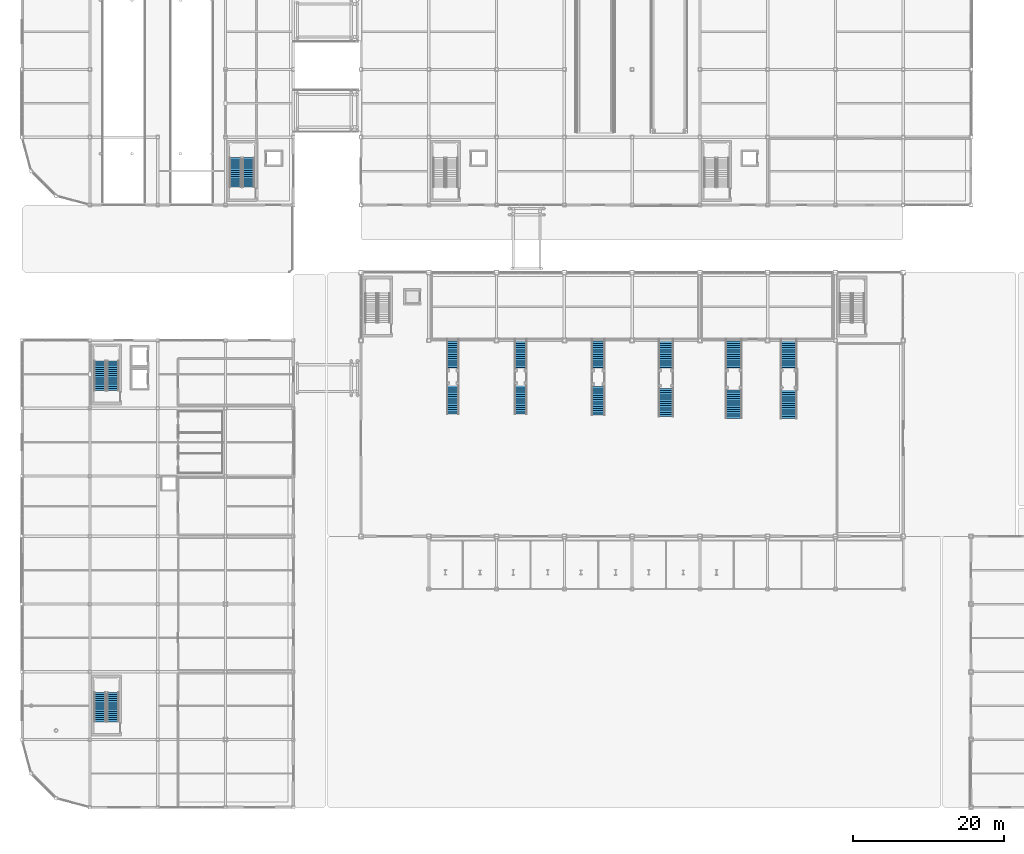
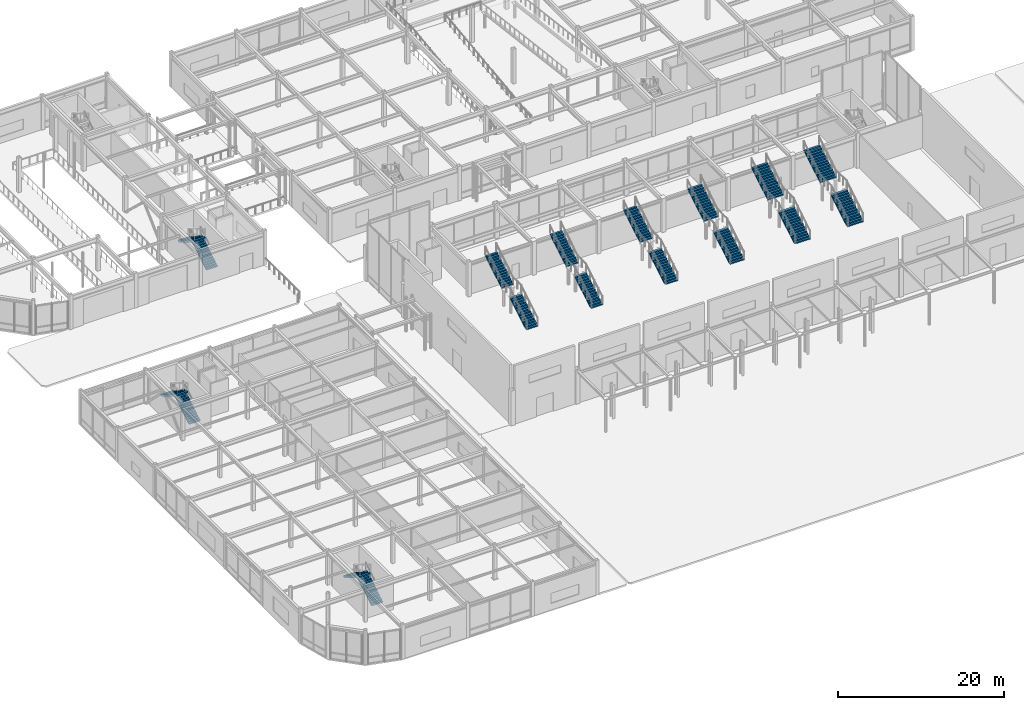
# One storey, part 94 of 123: 18 stair flights, 9 elements without a shape of their own.
"""IFC4 building model written with IfcOpenShell, lengths in metres."""

from ifc_helpers import new_model, si_unit, direction, frame, origin, place, context, subcontext, project, spatial, polyline, outline, extrude, material, type_object, element, aggregate, save


model = new_model("IFC4")

# Units and contexts
model_context = context("Model", 3, precision=1e-05, world=origin(), true_north=direction((0.0, 1.0)))
body_context = subcontext(model_context, "Body", "Model", "MODEL_VIEW")
ifc_project = project(units=[si_unit("LENGTHUNIT", "METRE"), si_unit("AREAUNIT", "SQUARE_METRE"), si_unit("VOLUMEUNIT", "CUBIC_METRE"), si_unit("PLANEANGLEUNIT", "RADIAN"), si_unit("MASSUNIT", "GRAM", prefix="KILO")], contexts=[model_context])

# Site, building, storey
site_placement = place(None, origin())
site = spatial("IfcSite", under=ifc_project, at=site_placement, CompositionType="ELEMENT")
building_placement = place(site_placement, origin())
building = spatial("IfcBuilding", under=site, at=building_placement, Name="Suzunagisa Mobility Hub", CompositionType="ELEMENT")
storey_placement = place(building_placement, origin())
storey = spatial("IfcBuildingStorey", under=building, at=storey_placement, Name="L00", CompositionType="ELEMENT", Elevation=0.0)

# Stair, stair flights
ifc_material = material(Name="Concrete C35/45", Category="concrete")
stair_type_1 = type_object("IfcStairType", Name="Dog-Leg Core Escape Stair ST-01 W1560", PredefinedType="HALF_TURN_STAIR", material=ifc_material)
stair_1_placement = place(storey_placement, origin())
stair_1 = element("IfcStair", 1, at=stair_1_placement, inside=storey, type_object=stair_type_1, Name="L00 Core C1 Escape Stair ST-01", PredefinedType="HALF_TURN_STAIR")
stair_flight_type_1 = type_object("IfcStairFlightType", Name="Dog-Leg Core Stair Flight ST-01-F W1560", PredefinedType="STRAIGHT", material=ifc_material)
stair_flight_1_placement = place(storey_placement, frame((12.06005859375, 55.360107421875, 0.0), z_axis=(0.0, 0.0, 1.0), x_axis=(0.0, 1.0, 0.0)))
stair_flight_1 = element("IfcStairFlight", 2, at=stair_flight_1_placement, type_object=stair_flight_type_1, Name="ST-01 flight 1", NumberOfRisers=15, NumberOfTreads=14, PredefinedType="STRAIGHT", RiserHeight=0.17, TreadLength=0.28, context=body_context, shape_type="SweptSolid", body=[
    extrude(outline(polyline([(0.0, 0.0), (0.0, 0.169921875), (0.280029296875, 0.169921875), (0.280029296875, 0.340087890625), (0.56005859375, 0.340087890625), (0.56005859375, 0.510009765625), (0.840087890625, 0.510009765625), (0.840087890625, 0.679931640625), (1.1201171875, 0.679931640625), (1.1201171875, 0.85009765625), (1.39990234375, 0.85009765625), (1.39990234375, 1.02001953125), (1.679931640625, 1.02001953125), (1.679931640625, 1.18994140625), (1.9599609375, 1.18994140625), (1.9599609375, 1.360107421875), (2.239990234375, 1.360107421875), (2.239990234375, 1.530029296875), (2.52001953125, 1.530029296875), (2.52001953125, 1.699951171875), (2.800048828125, 1.699951171875), (2.800048828125, 1.8701171875), (3.080078125, 1.8701171875), (3.080078125, 2.0400390625), (3.360107421875, 2.0400390625), (3.360107421875, 2.2099609375), (3.639892578125, 2.2099609375), (3.639892578125, 2.3798828125), (3.919921875, 2.3798828125), (3.919921875, 2.550048828125), (3.919921875, 2.19287109375), (0.30810546875, 0.0), (0.0, 0.0)])), frame((0.0, 0.780029296875, 0.0), z_axis=(0.0, -1.0, 0.0), x_axis=(1.0, 0.0, 0.0)), (0.0, 0.0, 1.0), 1.56005859375),
])
stair_flight_2_placement = place(storey_placement, frame((10.340087890625, 59.280029296875, 2.550048828125), z_axis=(0.0, 0.0, 1.0), x_axis=(0.0, -1.0, 0.0)))
stair_flight_2 = element("IfcStairFlight", 3, at=stair_flight_2_placement, type_object=stair_flight_type_1, Name="ST-01 flight 2", NumberOfRisers=15, NumberOfTreads=14, PredefinedType="STRAIGHT", RiserHeight=0.17, TreadLength=0.28, context=body_context, shape_type="SweptSolid", body=[
    extrude(outline(polyline([(0.0, 0.0), (0.0, 0.169921875), (0.280029296875, 0.169921875), (0.280029296875, 0.340087890625), (0.56005859375, 0.340087890625), (0.56005859375, 0.510009765625), (0.840087890625, 0.510009765625), (0.840087890625, 0.679931640625), (1.1201171875, 0.679931640625), (1.1201171875, 0.85009765625), (1.39990234375, 0.85009765625), (1.39990234375, 1.02001953125), (1.679931640625, 1.02001953125), (1.679931640625, 1.18994140625), (1.9599609375, 1.18994140625), (1.9599609375, 1.360107421875), (2.239990234375, 1.360107421875), (2.239990234375, 1.530029296875), (2.52001953125, 1.530029296875), (2.52001953125, 1.699951171875), (2.800048828125, 1.699951171875), (2.800048828125, 1.8701171875), (3.080078125, 1.8701171875), (3.080078125, 2.0400390625), (3.360107421875, 2.0400390625), (3.360107421875, 2.2099609375), (3.639892578125, 2.2099609375), (3.639892578125, 2.3798828125), (3.919921875, 2.3798828125), (3.919921875, 2.550048828125), (3.919921875, 2.19287109375), (0.30810546875, 0.0), (0.0, 0.0)])), frame((0.0, 0.780029296875, 0.0), z_axis=(0.0, -1.0, 0.0), x_axis=(1.0, 0.0, 0.0)), (0.0, 0.0, 1.0), 1.56005859375),
])
aggregate(stair_1, [stair_flight_1, stair_flight_2])

stair_type_2 = type_object("IfcStairType", Name="Dog-Leg Core Escape Stair ST-02 W1560", PredefinedType="HALF_TURN_STAIR", material=ifc_material)
stair_2_placement = place(storey_placement, origin())
stair_2 = element("IfcStair", 4, at=stair_2_placement, inside=storey, type_object=stair_type_2, Name="L00 Core C1B Escape Stair ST-02", PredefinedType="HALF_TURN_STAIR")
stair_flight_type_2 = type_object("IfcStairFlightType", Name="Dog-Leg Core Stair Flight ST-02-F W1560", PredefinedType="STRAIGHT", material=ifc_material)
stair_flight_3_placement = place(storey_placement, frame((12.06005859375, 11.360107421875, 0.0), z_axis=(0.0, 0.0, 1.0), x_axis=(0.0, 1.0, 0.0)))
stair_flight_3 = element("IfcStairFlight", 5, at=stair_flight_3_placement, type_object=stair_flight_type_2, Name="ST-02 flight 1", NumberOfRisers=15, NumberOfTreads=14, PredefinedType="STRAIGHT", RiserHeight=0.17, TreadLength=0.28, context=body_context, shape_type="SweptSolid", body=[
    extrude(outline(polyline([(0.0, 0.0), (0.0, 0.169921875), (0.280029296875, 0.169921875), (0.280029296875, 0.340087890625), (0.56005859375, 0.340087890625), (0.56005859375, 0.510009765625), (0.840087890625, 0.510009765625), (0.840087890625, 0.679931640625), (1.1201171875, 0.679931640625), (1.1201171875, 0.85009765625), (1.39990234375, 0.85009765625), (1.39990234375, 1.02001953125), (1.679931640625, 1.02001953125), (1.679931640625, 1.18994140625), (1.9599609375, 1.18994140625), (1.9599609375, 1.360107421875), (2.239990234375, 1.360107421875), (2.239990234375, 1.530029296875), (2.52001953125, 1.530029296875), (2.52001953125, 1.699951171875), (2.800048828125, 1.699951171875), (2.800048828125, 1.8701171875), (3.080078125, 1.8701171875), (3.080078125, 2.0400390625), (3.360107421875, 2.0400390625), (3.360107421875, 2.2099609375), (3.639892578125, 2.2099609375), (3.639892578125, 2.3798828125), (3.919921875, 2.3798828125), (3.919921875, 2.550048828125), (3.919921875, 2.19287109375), (0.30810546875, 0.0), (0.0, 0.0)])), frame((0.0, 0.780029296875, 0.0), z_axis=(0.0, -1.0, 0.0), x_axis=(1.0, 0.0, 0.0)), (0.0, 0.0, 1.0), 1.56005859375),
])
stair_flight_4_placement = place(storey_placement, frame((10.340087890625, 15.280029296875, 2.550048828125), z_axis=(0.0, 0.0, 1.0), x_axis=(0.0, -1.0, 0.0)))
stair_flight_4 = element("IfcStairFlight", 6, at=stair_flight_4_placement, type_object=stair_flight_type_2, Name="ST-02 flight 2", NumberOfRisers=15, NumberOfTreads=14, PredefinedType="STRAIGHT", RiserHeight=0.17, TreadLength=0.28, context=body_context, shape_type="SweptSolid", body=[
    extrude(outline(polyline([(0.0, 0.0), (0.0, 0.169921875), (0.280029296875, 0.169921875), (0.280029296875, 0.340087890625), (0.56005859375, 0.340087890625), (0.56005859375, 0.510009765625), (0.840087890625, 0.510009765625), (0.840087890625, 0.679931640625), (1.1201171875, 0.679931640625), (1.1201171875, 0.85009765625), (1.39990234375, 0.85009765625), (1.39990234375, 1.02001953125), (1.679931640625, 1.02001953125), (1.679931640625, 1.18994140625), (1.9599609375, 1.18994140625), (1.9599609375, 1.360107421875), (2.239990234375, 1.360107421875), (2.239990234375, 1.530029296875), (2.52001953125, 1.530029296875), (2.52001953125, 1.699951171875), (2.800048828125, 1.699951171875), (2.800048828125, 1.8701171875), (3.080078125, 1.8701171875), (3.080078125, 2.0400390625), (3.360107421875, 2.0400390625), (3.360107421875, 2.2099609375), (3.639892578125, 2.2099609375), (3.639892578125, 2.3798828125), (3.919921875, 2.3798828125), (3.919921875, 2.550048828125), (3.919921875, 2.19287109375), (0.30810546875, 0.0), (0.0, 0.0)])), frame((0.0, 0.780029296875, 0.0), z_axis=(0.0, -1.0, 0.0), x_axis=(1.0, 0.0, 0.0)), (0.0, 0.0, 1.0), 1.56005859375),
])
aggregate(stair_2, [stair_flight_3, stair_flight_4])

stair_type_3 = type_object("IfcStairType", Name="Dog-Leg Core Escape Stair ST-05 W1560", PredefinedType="HALF_TURN_STAIR", material=ifc_material)
stair_3_placement = place(storey_placement, origin())
stair_3 = element("IfcStair", 7, at=stair_3_placement, inside=storey, type_object=stair_type_3, Name="L00 Core C6 Escape Stair ST-05", PredefinedType="HALF_TURN_STAIR")
stair_flight_type_3 = type_object("IfcStairFlightType", Name="Dog-Leg Core Stair Flight ST-05-F W1560", PredefinedType="STRAIGHT", material=ifc_material)
stair_flight_5_placement = place(storey_placement, frame((30.06005859375, 82.360107421875, 0.0), z_axis=(0.0, 0.0, 1.0), x_axis=(0.0, 1.0, 0.0)))
stair_flight_5 = element("IfcStairFlight", 8, at=stair_flight_5_placement, type_object=stair_flight_type_3, Name="ST-05 flight 1", NumberOfRisers=15, NumberOfTreads=14, PredefinedType="STRAIGHT", RiserHeight=0.17, TreadLength=0.28, context=body_context, shape_type="SweptSolid", body=[
    extrude(outline(polyline([(0.0, 0.0), (0.0, 0.169921875), (0.280029296875, 0.169921875), (0.280029296875, 0.340087890625), (0.56005859375, 0.340087890625), (0.56005859375, 0.510009765625), (0.840087890625, 0.510009765625), (0.840087890625, 0.679931640625), (1.1201171875, 0.679931640625), (1.1201171875, 0.85009765625), (1.39990234375, 0.85009765625), (1.39990234375, 1.02001953125), (1.679931640625, 1.02001953125), (1.679931640625, 1.18994140625), (1.9599609375, 1.18994140625), (1.9599609375, 1.360107421875), (2.239990234375, 1.360107421875), (2.239990234375, 1.530029296875), (2.52001953125, 1.530029296875), (2.52001953125, 1.699951171875), (2.800048828125, 1.699951171875), (2.800048828125, 1.8701171875), (3.080078125, 1.8701171875), (3.080078125, 2.0400390625), (3.360107421875, 2.0400390625), (3.360107421875, 2.2099609375), (3.639892578125, 2.2099609375), (3.639892578125, 2.3798828125), (3.919921875, 2.3798828125), (3.919921875, 2.550048828125), (3.919921875, 2.19287109375), (0.30810546875, 0.0), (0.0, 0.0)])), frame((0.0, 0.780029296875, 0.0), z_axis=(0.0, -1.0, 0.0), x_axis=(1.0, 0.0, 0.0)), (0.0, 0.0, 1.0), 1.56005859375),
])
stair_flight_6_placement = place(storey_placement, frame((28.340087890625, 86.280029296875, 2.550048828125), z_axis=(0.0, 0.0, 1.0), x_axis=(0.0, -1.0, 0.0)))
stair_flight_6 = element("IfcStairFlight", 9, at=stair_flight_6_placement, type_object=stair_flight_type_3, Name="ST-05 flight 2", NumberOfRisers=15, NumberOfTreads=14, PredefinedType="STRAIGHT", RiserHeight=0.17, TreadLength=0.28, context=body_context, shape_type="SweptSolid", body=[
    extrude(outline(polyline([(0.0, 0.0), (0.0, 0.169921875), (0.280029296875, 0.169921875), (0.280029296875, 0.340087890625), (0.56005859375, 0.340087890625), (0.56005859375, 0.510009765625), (0.840087890625, 0.510009765625), (0.840087890625, 0.679931640625), (1.1201171875, 0.679931640625), (1.1201171875, 0.85009765625), (1.39990234375, 0.85009765625), (1.39990234375, 1.02001953125), (1.679931640625, 1.02001953125), (1.679931640625, 1.18994140625), (1.9599609375, 1.18994140625), (1.9599609375, 1.360107421875), (2.239990234375, 1.360107421875), (2.239990234375, 1.530029296875), (2.52001953125, 1.530029296875), (2.52001953125, 1.699951171875), (2.800048828125, 1.699951171875), (2.800048828125, 1.8701171875), (3.080078125, 1.8701171875), (3.080078125, 2.0400390625), (3.360107421875, 2.0400390625), (3.360107421875, 2.2099609375), (3.639892578125, 2.2099609375), (3.639892578125, 2.3798828125), (3.919921875, 2.3798828125), (3.919921875, 2.550048828125), (3.919921875, 2.19287109375), (0.30810546875, 0.0), (0.0, 0.0)])), frame((0.0, 0.780029296875, 0.0), z_axis=(0.0, -1.0, 0.0), x_axis=(1.0, 0.0, 0.0)), (0.0, 0.0, 1.0), 1.56005859375),
])
aggregate(stair_3, [stair_flight_5, stair_flight_6])

stair_type_4 = type_object("IfcStairType", Name="Forecourt Ceremonial Straight Stair FS-01 W1800", PredefinedType="STRAIGHT_RUN_STAIR", material=ifc_material)
stair_4_placement = place(storey_placement, origin())
stair_4 = element("IfcStair", 10, at=stair_4_placement, inside=storey, type_object=stair_type_4, Name="Concourse Mezzanine Straight Stair FS-01", PredefinedType="STRAIGHT_RUN_STAIR")
stair_flight_type_4 = type_object("IfcStairFlightType", Name="Forecourt Straight Stair Flight FSF-01 W1800", PredefinedType="STRAIGHT", material=ifc_material)
stair_flight_7_placement = place(storey_placement, frame((57.199951171875, 52.22998046875, 0.0), z_axis=(0.0, 0.0, 1.0), x_axis=(0.0, 1.0, 0.0)))
stair_flight_7 = element("IfcStairFlight", 11, at=stair_flight_7_placement, type_object=stair_flight_type_4, Name="Concourse Stair Flight FSF-01-1", NumberOfRisers=15, NumberOfTreads=14, PredefinedType="STRAIGHT", RiserHeight=0.17, TreadLength=0.29, context=body_context, shape_type="SweptSolid", body=[
    extrude(outline(polyline([(0.0, 0.0), (0.0, 0.169921875), (0.2900390625, 0.169921875), (0.2900390625, 0.340087890625), (0.580078125, 0.340087890625), (0.580078125, 0.510009765625), (0.8701171875, 0.510009765625), (0.8701171875, 0.679931640625), (1.159912109375, 0.679931640625), (1.159912109375, 0.85009765625), (1.449951171875, 0.85009765625), (1.449951171875, 1.02001953125), (1.739990234375, 1.02001953125), (1.739990234375, 1.18994140625), (2.030029296875, 1.18994140625), (2.030029296875, 1.360107421875), (2.320068359375, 1.360107421875), (2.320068359375, 1.530029296875), (2.610107421875, 1.530029296875), (2.610107421875, 1.699951171875), (2.89990234375, 1.699951171875), (2.89990234375, 1.8701171875), (3.18994140625, 1.8701171875), (3.18994140625, 2.0400390625), (3.47998046875, 2.0400390625), (3.47998046875, 2.2099609375), (3.77001953125, 2.2099609375), (3.77001953125, 2.3798828125), (4.06005859375, 2.3798828125), (4.06005859375, 2.550048828125), (4.06005859375, 2.194580078125), (0.316162109375, 0.0), (0.0, 0.0)])), frame((0.0, 0.800048828125, 0.0), z_axis=(0.0, -1.0, 0.0), x_axis=(1.0, 0.0, 0.0)), (0.0, 0.0, 1.0), 1.60009765625),
])
stair_flight_8_placement = place(storey_placement, frame((57.199951171875, 58.139892578125, 2.550048828125), z_axis=(0.0, 0.0, 1.0), x_axis=(0.0, 1.0, 0.0)))
stair_flight_8 = element("IfcStairFlight", 12, at=stair_flight_8_placement, type_object=stair_flight_type_4, Name="Concourse Stair Flight FSF-01-2", NumberOfRisers=15, NumberOfTreads=14, PredefinedType="STRAIGHT", RiserHeight=0.17, TreadLength=0.29, context=body_context, shape_type="SweptSolid", body=[
    extrude(outline(polyline([(0.0, 0.0), (0.0, 0.169921875), (0.2900390625, 0.169921875), (0.2900390625, 0.340087890625), (0.580078125, 0.340087890625), (0.580078125, 0.510009765625), (0.8701171875, 0.510009765625), (0.8701171875, 0.679931640625), (1.159912109375, 0.679931640625), (1.159912109375, 0.85009765625), (1.449951171875, 0.85009765625), (1.449951171875, 1.02001953125), (1.739990234375, 1.02001953125), (1.739990234375, 1.18994140625), (2.030029296875, 1.18994140625), (2.030029296875, 1.360107421875), (2.320068359375, 1.360107421875), (2.320068359375, 1.530029296875), (2.610107421875, 1.530029296875), (2.610107421875, 1.699951171875), (2.89990234375, 1.699951171875), (2.89990234375, 1.8701171875), (3.18994140625, 1.8701171875), (3.18994140625, 2.0400390625), (3.47998046875, 2.0400390625), (3.47998046875, 2.2099609375), (3.77001953125, 2.2099609375), (3.77001953125, 2.3798828125), (4.06005859375, 2.3798828125), (4.06005859375, 2.550048828125), (4.06005859375, 2.194580078125), (0.316162109375, 0.0), (0.0, 0.0)])), frame((0.0, 0.800048828125, 0.0), z_axis=(0.0, -1.0, 0.0), x_axis=(1.0, 0.0, 0.0)), (0.0, 0.0, 1.0), 1.60009765625),
])
aggregate(stair_4, [stair_flight_7, stair_flight_8])

stair_type_5 = type_object("IfcStairType", Name="Forecourt Ceremonial Straight Stair FS-02 W2100", PredefinedType="STRAIGHT_RUN_STAIR", material=ifc_material)
stair_5_placement = place(storey_placement, origin())
stair_5 = element("IfcStair", 13, at=stair_5_placement, inside=storey, type_object=stair_type_5, Name="Concourse Mezzanine Straight Stair FS-02", PredefinedType="STRAIGHT_RUN_STAIR")
stair_flight_type_5 = type_object("IfcStairFlightType", Name="Forecourt Straight Stair Flight FSF-02 W2100", PredefinedType="STRAIGHT", material=ifc_material)
stair_flight_9_placement = place(storey_placement, frame((66.199951171875, 52.22998046875, 0.0), z_axis=(0.0, 0.0, 1.0), x_axis=(0.0, 1.0, 0.0)))
stair_flight_9 = element("IfcStairFlight", 14, at=stair_flight_9_placement, type_object=stair_flight_type_5, Name="Concourse Stair Flight FSF-02-1", NumberOfRisers=15, NumberOfTreads=14, PredefinedType="STRAIGHT", RiserHeight=0.17, TreadLength=0.29, context=body_context, shape_type="SweptSolid", body=[
    extrude(outline(polyline([(0.0, 0.0), (0.0, 0.169921875), (0.2900390625, 0.169921875), (0.2900390625, 0.340087890625), (0.580078125, 0.340087890625), (0.580078125, 0.510009765625), (0.8701171875, 0.510009765625), (0.8701171875, 0.679931640625), (1.159912109375, 0.679931640625), (1.159912109375, 0.85009765625), (1.449951171875, 0.85009765625), (1.449951171875, 1.02001953125), (1.739990234375, 1.02001953125), (1.739990234375, 1.18994140625), (2.030029296875, 1.18994140625), (2.030029296875, 1.360107421875), (2.320068359375, 1.360107421875), (2.320068359375, 1.530029296875), (2.610107421875, 1.530029296875), (2.610107421875, 1.699951171875), (2.89990234375, 1.699951171875), (2.89990234375, 1.8701171875), (3.18994140625, 1.8701171875), (3.18994140625, 2.0400390625), (3.47998046875, 2.0400390625), (3.47998046875, 2.2099609375), (3.77001953125, 2.2099609375), (3.77001953125, 2.3798828125), (4.06005859375, 2.3798828125), (4.06005859375, 2.550048828125), (4.06005859375, 2.194580078125), (0.316162109375, 0.0), (0.0, 0.0)])), frame((0.0, 0.800048828125, 0.0), z_axis=(0.0, -1.0, 0.0), x_axis=(1.0, 0.0, 0.0)), (0.0, 0.0, 1.0), 1.60009765625),
])
stair_flight_10_placement = place(storey_placement, frame((66.199951171875, 58.139892578125, 2.550048828125), z_axis=(0.0, 0.0, 1.0), x_axis=(0.0, 1.0, 0.0)))
stair_flight_10 = element("IfcStairFlight", 15, at=stair_flight_10_placement, type_object=stair_flight_type_5, Name="Concourse Stair Flight FSF-02-2", NumberOfRisers=15, NumberOfTreads=14, PredefinedType="STRAIGHT", RiserHeight=0.17, TreadLength=0.29, context=body_context, shape_type="SweptSolid", body=[
    extrude(outline(polyline([(0.0, 0.0), (0.0, 0.169921875), (0.2900390625, 0.169921875), (0.2900390625, 0.340087890625), (0.580078125, 0.340087890625), (0.580078125, 0.510009765625), (0.8701171875, 0.510009765625), (0.8701171875, 0.679931640625), (1.159912109375, 0.679931640625), (1.159912109375, 0.85009765625), (1.449951171875, 0.85009765625), (1.449951171875, 1.02001953125), (1.739990234375, 1.02001953125), (1.739990234375, 1.18994140625), (2.030029296875, 1.18994140625), (2.030029296875, 1.360107421875), (2.320068359375, 1.360107421875), (2.320068359375, 1.530029296875), (2.610107421875, 1.530029296875), (2.610107421875, 1.699951171875), (2.89990234375, 1.699951171875), (2.89990234375, 1.8701171875), (3.18994140625, 1.8701171875), (3.18994140625, 2.0400390625), (3.47998046875, 2.0400390625), (3.47998046875, 2.2099609375), (3.77001953125, 2.2099609375), (3.77001953125, 2.3798828125), (4.06005859375, 2.3798828125), (4.06005859375, 2.550048828125), (4.06005859375, 2.194580078125), (0.316162109375, 0.0), (0.0, 0.0)])), frame((0.0, 0.800048828125, 0.0), z_axis=(0.0, -1.0, 0.0), x_axis=(1.0, 0.0, 0.0)), (0.0, 0.0, 1.0), 1.60009765625),
])
aggregate(stair_5, [stair_flight_9, stair_flight_10])

stair_type_6 = type_object("IfcStairType", Name="Forecourt Ceremonial Straight Stair FS-03 W2400", PredefinedType="STRAIGHT_RUN_STAIR", material=ifc_material)
stair_6_placement = place(storey_placement, origin())
stair_6 = element("IfcStair", 16, at=stair_6_placement, inside=storey, type_object=stair_type_6, Name="Concourse Mezzanine Straight Stair FS-03", PredefinedType="STRAIGHT_RUN_STAIR")
stair_flight_type_6 = type_object("IfcStairFlightType", Name="Forecourt Straight Stair Flight FSF-03 W2400", PredefinedType="STRAIGHT", material=ifc_material)
stair_flight_11_placement = place(storey_placement, frame((76.5, 52.10205078125, 0.0), z_axis=(0.0, 0.0, 1.0), x_axis=(0.0, 1.0, 0.0)))
stair_flight_11 = element("IfcStairFlight", 17, at=stair_flight_11_placement, type_object=stair_flight_type_6, Name="Concourse Stair Flight FSF-03-1", NumberOfRisers=15, NumberOfTreads=14, PredefinedType="STRAIGHT", RiserHeight=0.17, TreadLength=0.29, context=body_context, shape_type="SweptSolid", body=[
    extrude(outline(polyline([(0.0, 0.0), (0.0, 0.169921875), (0.2900390625, 0.169921875), (0.2900390625, 0.340087890625), (0.580078125, 0.340087890625), (0.580078125, 0.510009765625), (0.8701171875, 0.510009765625), (0.8701171875, 0.679931640625), (1.159912109375, 0.679931640625), (1.159912109375, 0.85009765625), (1.449951171875, 0.85009765625), (1.449951171875, 1.02001953125), (1.739990234375, 1.02001953125), (1.739990234375, 1.18994140625), (2.030029296875, 1.18994140625), (2.030029296875, 1.360107421875), (2.320068359375, 1.360107421875), (2.320068359375, 1.530029296875), (2.610107421875, 1.530029296875), (2.610107421875, 1.699951171875), (2.89990234375, 1.699951171875), (2.89990234375, 1.8701171875), (3.18994140625, 1.8701171875), (3.18994140625, 2.0400390625), (3.47998046875, 2.0400390625), (3.47998046875, 2.2099609375), (3.77001953125, 2.2099609375), (3.77001953125, 2.3798828125), (4.06005859375, 2.3798828125), (4.06005859375, 2.550048828125), (4.06005859375, 2.194580078125), (0.316162109375, 0.0), (0.0, 0.0)])), frame((0.0, 0.864013671875, 0.0), z_axis=(0.0, -1.0, 0.0), x_axis=(1.0, 0.0, 0.0)), (0.0, 0.0, 1.0), 1.72802734375),
])
stair_flight_12_placement = place(storey_placement, frame((76.5, 58.139892578125, 2.550048828125), z_axis=(0.0, 0.0, 1.0), x_axis=(0.0, 1.0, 0.0)))
stair_flight_12 = element("IfcStairFlight", 18, at=stair_flight_12_placement, type_object=stair_flight_type_6, Name="Concourse Stair Flight FSF-03-2", NumberOfRisers=15, NumberOfTreads=14, PredefinedType="STRAIGHT", RiserHeight=0.17, TreadLength=0.29, context=body_context, shape_type="SweptSolid", body=[
    extrude(outline(polyline([(0.0, 0.0), (0.0, 0.169921875), (0.2900390625, 0.169921875), (0.2900390625, 0.340087890625), (0.580078125, 0.340087890625), (0.580078125, 0.510009765625), (0.8701171875, 0.510009765625), (0.8701171875, 0.679931640625), (1.159912109375, 0.679931640625), (1.159912109375, 0.85009765625), (1.449951171875, 0.85009765625), (1.449951171875, 1.02001953125), (1.739990234375, 1.02001953125), (1.739990234375, 1.18994140625), (2.030029296875, 1.18994140625), (2.030029296875, 1.360107421875), (2.320068359375, 1.360107421875), (2.320068359375, 1.530029296875), (2.610107421875, 1.530029296875), (2.610107421875, 1.699951171875), (2.89990234375, 1.699951171875), (2.89990234375, 1.8701171875), (3.18994140625, 1.8701171875), (3.18994140625, 2.0400390625), (3.47998046875, 2.0400390625), (3.47998046875, 2.2099609375), (3.77001953125, 2.2099609375), (3.77001953125, 2.3798828125), (4.06005859375, 2.3798828125), (4.06005859375, 2.550048828125), (4.06005859375, 2.194580078125), (0.316162109375, 0.0), (0.0, 0.0)])), frame((0.0, 0.864013671875, 0.0), z_axis=(0.0, -1.0, 0.0), x_axis=(1.0, 0.0, 0.0)), (0.0, 0.0, 1.0), 1.72802734375),
])
aggregate(stair_6, [stair_flight_11, stair_flight_12])

stair_type_7 = type_object("IfcStairType", Name="Forecourt Ceremonial Straight Stair FS-04 W2700", PredefinedType="STRAIGHT_RUN_STAIR", material=ifc_material)
stair_7_placement = place(storey_placement, origin())
stair_7 = element("IfcStair", 19, at=stair_7_placement, inside=storey, type_object=stair_type_7, Name="Concourse Mezzanine Straight Stair FS-04", PredefinedType="STRAIGHT_RUN_STAIR")
stair_flight_type_7 = type_object("IfcStairFlightType", Name="Forecourt Straight Stair Flight FSF-04 W2700", PredefinedType="STRAIGHT", material=ifc_material)
stair_flight_13_placement = place(storey_placement, frame((85.5, 51.885986328125, 0.0), z_axis=(0.0, 0.0, 1.0), x_axis=(0.0, 1.0, 0.0)))
stair_flight_13 = element("IfcStairFlight", 20, at=stair_flight_13_placement, type_object=stair_flight_type_7, Name="Concourse Stair Flight FSF-04-1", NumberOfRisers=15, NumberOfTreads=14, PredefinedType="STRAIGHT", RiserHeight=0.17, TreadLength=0.29, context=body_context, shape_type="SweptSolid", body=[
    extrude(outline(polyline([(0.0, 0.0), (0.0, 0.169921875), (0.2900390625, 0.169921875), (0.2900390625, 0.340087890625), (0.580078125, 0.340087890625), (0.580078125, 0.510009765625), (0.8701171875, 0.510009765625), (0.8701171875, 0.679931640625), (1.159912109375, 0.679931640625), (1.159912109375, 0.85009765625), (1.449951171875, 0.85009765625), (1.449951171875, 1.02001953125), (1.739990234375, 1.02001953125), (1.739990234375, 1.18994140625), (2.030029296875, 1.18994140625), (2.030029296875, 1.360107421875), (2.320068359375, 1.360107421875), (2.320068359375, 1.530029296875), (2.610107421875, 1.530029296875), (2.610107421875, 1.699951171875), (2.89990234375, 1.699951171875), (2.89990234375, 1.8701171875), (3.18994140625, 1.8701171875), (3.18994140625, 2.0400390625), (3.47998046875, 2.0400390625), (3.47998046875, 2.2099609375), (3.77001953125, 2.2099609375), (3.77001953125, 2.3798828125), (4.06005859375, 2.3798828125), (4.06005859375, 2.550048828125), (4.06005859375, 2.194580078125), (0.316162109375, 0.0), (0.0, 0.0)])), frame((0.0, 0.97216796875, 0.0), z_axis=(0.0, -1.0, 0.0), x_axis=(1.0, 0.0, 0.0)), (0.0, 0.0, 1.0), 1.944091796875),
])
stair_flight_14_placement = place(storey_placement, frame((85.5, 58.139892578125, 2.550048828125), z_axis=(0.0, 0.0, 1.0), x_axis=(0.0, 1.0, 0.0)))
stair_flight_14 = element("IfcStairFlight", 21, at=stair_flight_14_placement, type_object=stair_flight_type_7, Name="Concourse Stair Flight FSF-04-2", NumberOfRisers=15, NumberOfTreads=14, PredefinedType="STRAIGHT", RiserHeight=0.17, TreadLength=0.29, context=body_context, shape_type="SweptSolid", body=[
    extrude(outline(polyline([(0.0, 0.0), (0.0, 0.169921875), (0.2900390625, 0.169921875), (0.2900390625, 0.340087890625), (0.580078125, 0.340087890625), (0.580078125, 0.510009765625), (0.8701171875, 0.510009765625), (0.8701171875, 0.679931640625), (1.159912109375, 0.679931640625), (1.159912109375, 0.85009765625), (1.449951171875, 0.85009765625), (1.449951171875, 1.02001953125), (1.739990234375, 1.02001953125), (1.739990234375, 1.18994140625), (2.030029296875, 1.18994140625), (2.030029296875, 1.360107421875), (2.320068359375, 1.360107421875), (2.320068359375, 1.530029296875), (2.610107421875, 1.530029296875), (2.610107421875, 1.699951171875), (2.89990234375, 1.699951171875), (2.89990234375, 1.8701171875), (3.18994140625, 1.8701171875), (3.18994140625, 2.0400390625), (3.47998046875, 2.0400390625), (3.47998046875, 2.2099609375), (3.77001953125, 2.2099609375), (3.77001953125, 2.3798828125), (4.06005859375, 2.3798828125), (4.06005859375, 2.550048828125), (4.06005859375, 2.194580078125), (0.316162109375, 0.0), (0.0, 0.0)])), frame((0.0, 0.97216796875, 0.0), z_axis=(0.0, -1.0, 0.0), x_axis=(1.0, 0.0, 0.0)), (0.0, 0.0, 1.0), 1.944091796875),
])
aggregate(stair_7, [stair_flight_13, stair_flight_14])

stair_type_8 = type_object("IfcStairType", Name="Forecourt Ceremonial Straight Stair FS-05 W3000", PredefinedType="STRAIGHT_RUN_STAIR", material=ifc_material)
stair_8_placement = place(storey_placement, origin())
stair_8 = element("IfcStair", 22, at=stair_8_placement, inside=storey, type_object=stair_type_8, Name="Concourse Mezzanine Straight Stair FS-05", PredefinedType="STRAIGHT_RUN_STAIR")
stair_flight_type_8 = type_object("IfcStairFlightType", Name="Forecourt Straight Stair Flight FSF-05 W3000", PredefinedType="STRAIGHT", material=ifc_material)
stair_flight_15_placement = place(storey_placement, frame((94.5, 51.669921875, 0.0), z_axis=(0.0, 0.0, 1.0), x_axis=(0.0, 1.0, 0.0)))
stair_flight_15 = element("IfcStairFlight", 23, at=stair_flight_15_placement, type_object=stair_flight_type_8, Name="Concourse Stair Flight FSF-05-1", NumberOfRisers=15, NumberOfTreads=14, PredefinedType="STRAIGHT", RiserHeight=0.17, TreadLength=0.29, context=body_context, shape_type="SweptSolid", body=[
    extrude(outline(polyline([(0.0, 0.0), (0.0, 0.169921875), (0.2900390625, 0.169921875), (0.2900390625, 0.340087890625), (0.580078125, 0.340087890625), (0.580078125, 0.510009765625), (0.8701171875, 0.510009765625), (0.8701171875, 0.679931640625), (1.159912109375, 0.679931640625), (1.159912109375, 0.85009765625), (1.449951171875, 0.85009765625), (1.449951171875, 1.02001953125), (1.739990234375, 1.02001953125), (1.739990234375, 1.18994140625), (2.030029296875, 1.18994140625), (2.030029296875, 1.360107421875), (2.320068359375, 1.360107421875), (2.320068359375, 1.530029296875), (2.610107421875, 1.530029296875), (2.610107421875, 1.699951171875), (2.89990234375, 1.699951171875), (2.89990234375, 1.8701171875), (3.18994140625, 1.8701171875), (3.18994140625, 2.0400390625), (3.47998046875, 2.0400390625), (3.47998046875, 2.2099609375), (3.77001953125, 2.2099609375), (3.77001953125, 2.3798828125), (4.06005859375, 2.3798828125), (4.06005859375, 2.550048828125), (4.06005859375, 2.194580078125), (0.316162109375, 0.0), (0.0, 0.0)])), frame((0.0, 1.080078125, 0.0), z_axis=(0.0, -1.0, 0.0), x_axis=(1.0, 0.0, 0.0)), (0.0, 0.0, 1.0), 2.159912109375),
])
stair_flight_16_placement = place(storey_placement, frame((94.5, 58.139892578125, 2.550048828125), z_axis=(0.0, 0.0, 1.0), x_axis=(0.0, 1.0, 0.0)))
stair_flight_16 = element("IfcStairFlight", 24, at=stair_flight_16_placement, type_object=stair_flight_type_8, Name="Concourse Stair Flight FSF-05-2", NumberOfRisers=15, NumberOfTreads=14, PredefinedType="STRAIGHT", RiserHeight=0.17, TreadLength=0.29, context=body_context, shape_type="SweptSolid", body=[
    extrude(outline(polyline([(0.0, 0.0), (0.0, 0.169921875), (0.2900390625, 0.169921875), (0.2900390625, 0.340087890625), (0.580078125, 0.340087890625), (0.580078125, 0.510009765625), (0.8701171875, 0.510009765625), (0.8701171875, 0.679931640625), (1.159912109375, 0.679931640625), (1.159912109375, 0.85009765625), (1.449951171875, 0.85009765625), (1.449951171875, 1.02001953125), (1.739990234375, 1.02001953125), (1.739990234375, 1.18994140625), (2.030029296875, 1.18994140625), (2.030029296875, 1.360107421875), (2.320068359375, 1.360107421875), (2.320068359375, 1.530029296875), (2.610107421875, 1.530029296875), (2.610107421875, 1.699951171875), (2.89990234375, 1.699951171875), (2.89990234375, 1.8701171875), (3.18994140625, 1.8701171875), (3.18994140625, 2.0400390625), (3.47998046875, 2.0400390625), (3.47998046875, 2.2099609375), (3.77001953125, 2.2099609375), (3.77001953125, 2.3798828125), (4.06005859375, 2.3798828125), (4.06005859375, 2.550048828125), (4.06005859375, 2.194580078125), (0.316162109375, 0.0), (0.0, 0.0)])), frame((0.0, 1.080078125, 0.0), z_axis=(0.0, -1.0, 0.0), x_axis=(1.0, 0.0, 0.0)), (0.0, 0.0, 1.0), 2.159912109375),
])
aggregate(stair_8, [stair_flight_15, stair_flight_16])

stair_type_9 = type_object("IfcStairType", Name="Forecourt Ceremonial Straight Stair FS-06 W3400", PredefinedType="STRAIGHT_RUN_STAIR", material=ifc_material)
stair_9_placement = place(storey_placement, origin())
stair_9 = element("IfcStair", 25, at=stair_9_placement, inside=storey, type_object=stair_type_9, Name="Concourse Mezzanine Straight Stair FS-06", PredefinedType="STRAIGHT_RUN_STAIR")
stair_flight_type_9 = type_object("IfcStairFlightType", Name="Forecourt Straight Stair Flight FSF-06 W3400", PredefinedType="STRAIGHT", material=ifc_material)
stair_flight_17_placement = place(storey_placement, frame((101.800048828125, 51.6298828125, 0.0), z_axis=(0.0, 0.0, 1.0), x_axis=(0.0, 1.0, 0.0)))
stair_flight_17 = element("IfcStairFlight", 26, at=stair_flight_17_placement, type_object=stair_flight_type_9, Name="Concourse Stair Flight FSF-06-1", NumberOfRisers=15, NumberOfTreads=14, PredefinedType="STRAIGHT", RiserHeight=0.17, TreadLength=0.29, context=body_context, shape_type="SweptSolid", body=[
    extrude(outline(polyline([(0.0, 0.0), (0.0, 0.169921875), (0.2900390625, 0.169921875), (0.2900390625, 0.340087890625), (0.580078125, 0.340087890625), (0.580078125, 0.510009765625), (0.8701171875, 0.510009765625), (0.8701171875, 0.679931640625), (1.159912109375, 0.679931640625), (1.159912109375, 0.85009765625), (1.449951171875, 0.85009765625), (1.449951171875, 1.02001953125), (1.739990234375, 1.02001953125), (1.739990234375, 1.18994140625), (2.030029296875, 1.18994140625), (2.030029296875, 1.360107421875), (2.320068359375, 1.360107421875), (2.320068359375, 1.530029296875), (2.610107421875, 1.530029296875), (2.610107421875, 1.699951171875), (2.89990234375, 1.699951171875), (2.89990234375, 1.8701171875), (3.18994140625, 1.8701171875), (3.18994140625, 2.0400390625), (3.47998046875, 2.0400390625), (3.47998046875, 2.2099609375), (3.77001953125, 2.2099609375), (3.77001953125, 2.3798828125), (4.06005859375, 2.3798828125), (4.06005859375, 2.550048828125), (4.06005859375, 2.194580078125), (0.316162109375, 0.0), (0.0, 0.0)])), frame((0.0, 1.10009765625, 0.0), z_axis=(0.0, -1.0, 0.0), x_axis=(1.0, 0.0, 0.0)), (0.0, 0.0, 1.0), 2.199951171875),
])
stair_flight_18_placement = place(storey_placement, frame((101.800048828125, 58.139892578125, 2.550048828125), z_axis=(0.0, 0.0, 1.0), x_axis=(0.0, 1.0, 0.0)))
stair_flight_18 = element("IfcStairFlight", 27, at=stair_flight_18_placement, type_object=stair_flight_type_9, Name="Concourse Stair Flight FSF-06-2", NumberOfRisers=15, NumberOfTreads=14, PredefinedType="STRAIGHT", RiserHeight=0.17, TreadLength=0.29, context=body_context, shape_type="SweptSolid", body=[
    extrude(outline(polyline([(0.0, 0.0), (0.0, 0.169921875), (0.2900390625, 0.169921875), (0.2900390625, 0.340087890625), (0.580078125, 0.340087890625), (0.580078125, 0.510009765625), (0.8701171875, 0.510009765625), (0.8701171875, 0.679931640625), (1.159912109375, 0.679931640625), (1.159912109375, 0.85009765625), (1.449951171875, 0.85009765625), (1.449951171875, 1.02001953125), (1.739990234375, 1.02001953125), (1.739990234375, 1.18994140625), (2.030029296875, 1.18994140625), (2.030029296875, 1.360107421875), (2.320068359375, 1.360107421875), (2.320068359375, 1.530029296875), (2.610107421875, 1.530029296875), (2.610107421875, 1.699951171875), (2.89990234375, 1.699951171875), (2.89990234375, 1.8701171875), (3.18994140625, 1.8701171875), (3.18994140625, 2.0400390625), (3.47998046875, 2.0400390625), (3.47998046875, 2.2099609375), (3.77001953125, 2.2099609375), (3.77001953125, 2.3798828125), (4.06005859375, 2.3798828125), (4.06005859375, 2.550048828125), (4.06005859375, 2.194580078125), (0.316162109375, 0.0), (0.0, 0.0)])), frame((0.0, 1.10009765625, 0.0), z_axis=(0.0, -1.0, 0.0), x_axis=(1.0, 0.0, 0.0)), (0.0, 0.0, 1.0), 2.199951171875),
])
aggregate(stair_9, [stair_flight_17, stair_flight_18])

save(model, "model.ifc")
